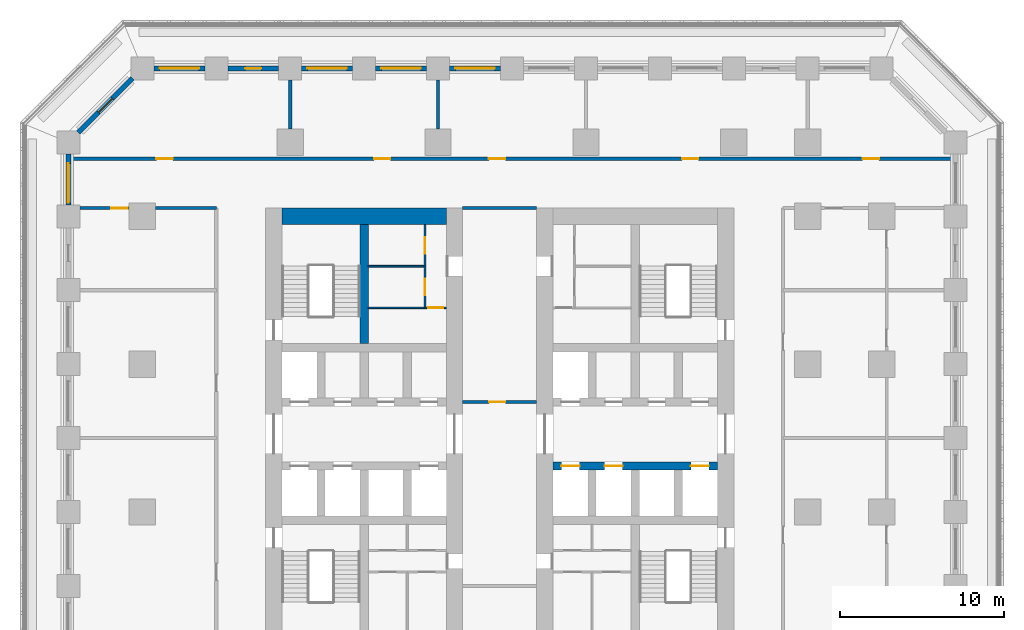
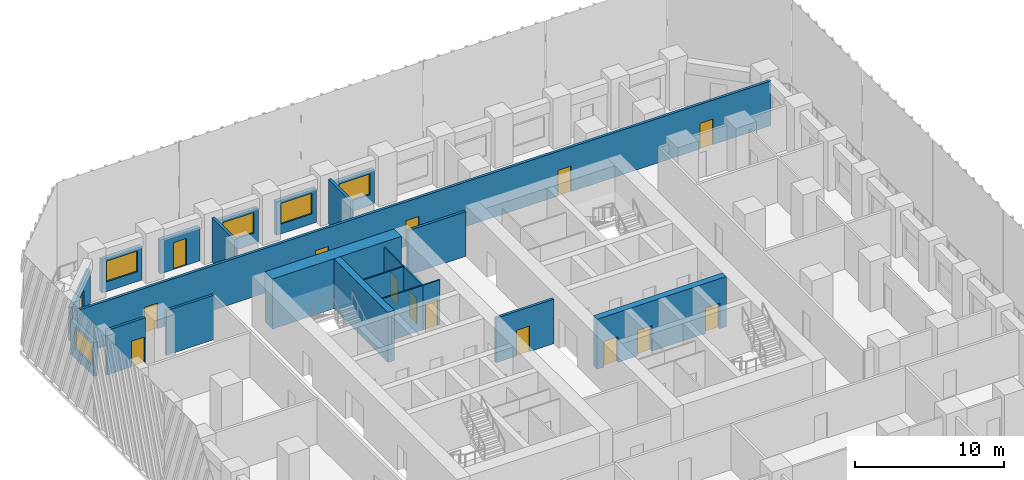
# One storey, part 6 of 14: 22 walls, 15 doors, 5 windows, 20 openings.
"""IFC4 building model written with IfcOpenShell, lengths in metres."""

from ifc_helpers import new_model, si_unit, direction, frame, frame_2d, origin, place, context, subcontext, project, spatial, rectangle, extrude, material, layer, layer_set, type_object, element, fill, save


model = new_model("IFC4")

# Units and contexts
model_context = context("Model", 3, precision=1e-05, world=origin(), true_north=direction((0.0, 1.0)))
body_context = subcontext(model_context, "Body", "Model", "MODEL_VIEW")
ifc_project = project(units=[si_unit("LENGTHUNIT", "METRE"), si_unit("AREAUNIT", "SQUARE_METRE"), si_unit("VOLUMEUNIT", "CUBIC_METRE"), si_unit("PLANEANGLEUNIT", "RADIAN"), si_unit("MASSUNIT", "GRAM", prefix="KILO")], contexts=[model_context])

# Site, building, storey
site_placement = place(None, origin())
site = spatial("IfcSite", under=ifc_project, at=site_placement, CompositionType="ELEMENT")
building_placement = place(site_placement, origin())
building = spatial("IfcBuilding", under=site, at=building_placement, Name="Corbel Stack Research Tower", CompositionType="ELEMENT")
storey_placement = place(building_placement, frame((0.0, 0.0, 58.300048828125)))
storey = spatial("IfcBuildingStorey", under=building, at=storey_placement, Name="L13", CompositionType="ELEMENT", Elevation=58.300048828125)

# Walls
ifc_material_1 = material(Name="Concrete C70/85", Category="concrete")
ifc_layer_1 = layer(ifc_material_1, 1.0)
ifc_layer_set_1 = layer_set([ifc_layer_1], Name="Concrete C70/85")
wall_type_1 = type_object("IfcWallType", Name="CW-1000-70", PredefinedType="SHEAR", material=ifc_layer_set_1)
wall_1_placement = place(storey_placement, frame((-9.5, 18.0, 0.0), z_axis=(0.0, 0.0, 1.0), x_axis=(1.0, 0.0, 0.0)))
element("IfcWall", 1, at=wall_1_placement, inside=storey, type_object=wall_type_1, Name="West core wall, north end L13", PredefinedType="SHEAR", context=body_context, shape_type="SweptSolid", body=[
    extrude(rectangle(XDim=10.0, YDim=1.0, at=frame_2d((5.0, 0.0))), origin(), (0.0, 0.0, 1.0), 4.099853515625),
])
ifc_material_2 = material(Name="Concrete C70/85", Category="concrete")
ifc_layer_2 = layer(ifc_material_2, 0.5)
ifc_layer_set_2 = layer_set([ifc_layer_2], Name="Concrete C70/85")
wall_type_2 = type_object("IfcWallType", Name="CW-500-70", PredefinedType="SHEAR", material=ifc_layer_set_2)
wall_2_placement = place(storey_placement, frame((-4.5, 10.25, 0.0), z_axis=(0.0, 0.0, 1.0), x_axis=(0.0, 1.0, 0.0)))
element("IfcWall", 2, at=wall_2_placement, inside=storey, type_object=wall_type_2, Name="West core wall, north stair and riser L13", PredefinedType="SHEAR", context=body_context, shape_type="SweptSolid", body=[
    extrude(rectangle(XDim=7.25, YDim=0.5, at=frame_2d((3.625, 0.0))), origin(), (0.0, 0.0, 1.0), 4.099853515625),
])

# Wall, openings, doors
wall_3_placement = place(storey_placement, frame((7.0, 2.800048828125, 0.0), z_axis=(0.0, 0.0, 1.0), x_axis=(1.0, 0.0, 0.0)))
wall_3 = element("IfcWall", 3, at=wall_3_placement, inside=storey, type_object=wall_type_2, Name="East core wall, lobby south L13", PredefinedType="SHEAR", context=body_context, shape_type="SweptSolid", body=[
    extrude(rectangle(XDim=10.0, YDim=0.5, at=frame_2d((5.0, 0.0))), origin(), (0.0, 0.0, 1.0), 4.099853515625),
])
opening_1_placement = place(wall_3_placement, frame((0.512451171875, 0.0, 0.0)))
opening_1 = element("IfcOpeningElement", 4, at=opening_1_placement, cuts=wall_3, Name="Opening LD-FS2", PredefinedType="OPENING", context=body_context, shape_type="SweptSolid", body=[
    extrude(rectangle(XDim=1.10009765625, YDim=2.10009765625, at=frame_2d((0.550048828125, 1.050048828125))), frame((0.0, 0.260009765625, 0.0), z_axis=(0.0, -1.0, 0.0), x_axis=(1.0, 0.0, 0.0)), (0.0, 0.0, 1.0), 0.52001953125),
])
opening_2_placement = place(wall_3_placement, frame((3.137451171875, 0.0, 0.0)))
opening_2 = element("IfcOpeningElement", 5, at=opening_2_placement, cuts=wall_3, Name="Opening LD-GL2", PredefinedType="OPENING", context=body_context, shape_type="SweptSolid", body=[
    extrude(rectangle(XDim=1.10009765625, YDim=2.10009765625, at=frame_2d((0.550048828125, 1.050048828125))), frame((0.0, 0.260009765625, 0.0), z_axis=(0.0, -1.0, 0.0), x_axis=(1.0, 0.0, 0.0)), (0.0, 0.0, 1.0), 0.52001953125),
])
opening_3_placement = place(wall_3_placement, frame((8.387451171875, 0.0, 0.0)))
opening_3 = element("IfcOpeningElement", 6, at=opening_3_placement, cuts=wall_3, Name="Opening LD-LR3", PredefinedType="OPENING", context=body_context, shape_type="SweptSolid", body=[
    extrude(rectangle(XDim=1.10009765625, YDim=2.10009765625, at=frame_2d((0.550048828125, 1.050048828125))), frame((0.0, 0.260009765625, 0.0), z_axis=(0.0, -1.0, 0.0), x_axis=(1.0, 0.0, 0.0)), (0.0, 0.0, 1.0), 0.52001953125),
])
ifc_material_3 = material(Name="Stainless steel landing door", Category="steel")
door_type_1 = type_object("IfcDoorType", Name="Lift landing door 1100 x 2100", OperationType="DOUBLE_DOOR_SLIDING", PredefinedType="DOOR", material=ifc_material_3)
door_1_placement = place(opening_1_placement, origin())
door_1 = element("IfcDoor", 7, at=door_1_placement, inside=storey, type_object=door_type_1, Name="Landing door FS2", OperationType="DOUBLE_DOOR_SLIDING", OverallHeight=2.10009765625, OverallWidth=1.10009765625, PredefinedType="DOOR", context=body_context, shape_type="SweptSolid", body=[
    extrude(rectangle(XDim=1.10009765625, YDim=2.10009765625, at=frame_2d((0.550048828125, 1.050048828125))), frame((0.0, 0.02490234375, 0.0), z_axis=(0.0, -1.0, 0.0), x_axis=(1.0, 0.0, 0.0)), (0.0, 0.0, 1.0), 0.050048828125),
])
fill(opening_1, door_1)
door_2_placement = place(opening_2_placement, origin())
door_2 = element("IfcDoor", 8, at=door_2_placement, inside=storey, type_object=door_type_1, Name="Landing door GL2", OperationType="DOUBLE_DOOR_SLIDING", OverallHeight=2.10009765625, OverallWidth=1.10009765625, PredefinedType="DOOR", context=body_context, shape_type="SweptSolid", body=[
    extrude(rectangle(XDim=1.10009765625, YDim=2.10009765625, at=frame_2d((0.550048828125, 1.050048828125))), frame((0.0, 0.02490234375, 0.0), z_axis=(0.0, -1.0, 0.0), x_axis=(1.0, 0.0, 0.0)), (0.0, 0.0, 1.0), 0.050048828125),
])
fill(opening_2, door_2)
door_3_placement = place(opening_3_placement, origin())
door_3 = element("IfcDoor", 9, at=door_3_placement, inside=storey, type_object=door_type_1, Name="Landing door LR3", OperationType="DOUBLE_DOOR_SLIDING", OverallHeight=2.10009765625, OverallWidth=1.10009765625, PredefinedType="DOOR", context=body_context, shape_type="SweptSolid", body=[
    extrude(rectangle(XDim=1.10009765625, YDim=2.10009765625, at=frame_2d((0.550048828125, 1.050048828125))), frame((0.0, 0.02490234375, 0.0), z_axis=(0.0, -1.0, 0.0), x_axis=(1.0, 0.0, 0.0)), (0.0, 0.0, 1.0), 0.050048828125),
])
fill(opening_3, door_3)

# Wall, opening, door
ifc_material_4 = material(Name="Gypsum board")
ifc_layer_3 = layer(ifc_material_4, 0.10009765625)
ifc_layer_set_3 = layer_set([ifc_layer_3], Name="Gypsum board")
wall_type_3 = type_object("IfcWallType", Name="Core partition 100", PredefinedType="PARTITIONING", material=ifc_layer_set_3)
wall_4_placement = place(storey_placement, frame((-0.800048828125, 12.425048828125, 0.0), z_axis=(0.0, 0.0, 1.0), x_axis=(1.0, 0.0, 0.0)))
wall_4 = element("IfcWall", 10, at=wall_4_placement, inside=storey, type_object=wall_type_3, Name="Core partition W", PredefinedType="PARTITIONING", context=body_context, shape_type="SweptSolid", body=[
    extrude(rectangle(XDim=1.300048828125, YDim=0.10009765625, at=frame_2d((0.64990234375, 0.0))), origin(), (0.0, 0.0, 1.0), 3.64990234375),
])
opening_4_placement = place(wall_4_placement, frame((0.199951171875, 0.0, 0.0)))
opening_4 = element("IfcOpeningElement", 11, at=opening_4_placement, cuts=wall_4, Name="Opening CR-W54-R1-900", PredefinedType="OPENING", context=body_context, shape_type="SweptSolid", body=[
    extrude(rectangle(XDim=0.89990234375, YDim=2.10009765625, at=frame_2d((0.449951171875, 1.050048828125))), frame((0.0, 0.06005859375, 0.0), z_axis=(0.0, -1.0, 0.0), x_axis=(1.0, 0.0, 0.0)), (0.0, 0.0, 1.0), 0.1201171875),
])
ifc_material_5 = material(Name="Painted steel door", Category="steel")
door_type_2 = type_object("IfcDoorType", Name="Riser door 900 x 2100 FD60 left hand", OperationType="SINGLE_SWING_LEFT", PredefinedType="DOOR", material=ifc_material_5)
door_4_placement = place(opening_4_placement, origin())
door_4 = element("IfcDoor", 12, at=door_4_placement, inside=storey, type_object=door_type_2, Name="Electrical riser door W core", OperationType="SINGLE_SWING_LEFT", OverallHeight=2.10009765625, OverallWidth=0.89990234375, PredefinedType="DOOR", context=body_context, shape_type="SweptSolid", body=[
    extrude(rectangle(XDim=0.89990234375, YDim=2.10009765625, at=frame_2d((0.449951171875, 1.050048828125))), frame((0.0, 0.02490234375, 0.0), z_axis=(0.0, -1.0, 0.0), x_axis=(1.0, 0.0, 0.0)), (0.0, 0.0, 1.0), 0.050048828125),
])
fill(opening_4, door_4)

# Wall
wall_5_placement = place(storey_placement, frame((-4.25, 12.425048828125, 0.0), z_axis=(0.0, 0.0, 1.0), x_axis=(1.0, 0.0, 0.0)))
element("IfcWall", 13, at=wall_5_placement, inside=storey, type_object=wall_type_3, Name="Core partition W", PredefinedType="PARTITIONING", context=body_context, shape_type="SweptSolid", body=[
    extrude(rectangle(XDim=3.449951171875, YDim=0.10009765625, at=frame_2d((1.72509765625, 0.0))), origin(), (0.0, 0.0, 1.0), 3.64990234375),
])

# Wall, opening, door
wall_6_placement = place(storey_placement, frame((-0.800048828125, 12.425048828125, 0.0), z_axis=(0.0, 0.0, 1.0), x_axis=(0.0, 1.0, 0.0)))
wall_6 = element("IfcWall", 14, at=wall_6_placement, inside=storey, type_object=wall_type_3, Name="Core partition W", PredefinedType="PARTITIONING", context=body_context, shape_type="SweptSolid", body=[
    extrude(rectangle(XDim=2.537353515625, YDim=0.10009765625, at=frame_2d((1.2685546875, 0.0))), origin(), (0.0, 0.0, 1.0), 3.64990234375),
])
opening_5_placement = place(wall_6_placement, frame((0.768798828125, 0.0, 0.0)))
opening_5 = element("IfcOpeningElement", 15, at=opening_5_placement, cuts=wall_6, Name="Opening CR-W54-R3-1000", PredefinedType="OPENING", context=body_context, shape_type="SweptSolid", body=[
    extrude(rectangle(XDim=1.0, YDim=2.10009765625, at=frame_2d((0.5, 1.050048828125))), frame((0.0, 0.06005859375, 0.0), z_axis=(0.0, -1.0, 0.0), x_axis=(1.0, 0.0, 0.0)), (0.0, 0.0, 1.0), 0.1201171875),
])
ifc_material_6 = material(Name="Painted steel door", Category="steel")
door_type_3 = type_object("IfcDoorType", Name="Service door 1000 x 2100 FD30 left hand", OperationType="SINGLE_SWING_LEFT", PredefinedType="DOOR", material=ifc_material_6)
door_5_placement = place(opening_5_placement, origin())
door_5 = element("IfcDoor", 16, at=door_5_placement, inside=storey, type_object=door_type_3, Name="Pantry door W core", OperationType="SINGLE_SWING_LEFT", OverallHeight=2.10009765625, OverallWidth=1.0, PredefinedType="DOOR", context=body_context, shape_type="SweptSolid", body=[
    extrude(rectangle(XDim=1.0, YDim=2.10009765625, at=frame_2d((0.5, 1.050048828125))), frame((0.0, 0.02490234375, 0.0), z_axis=(0.0, -1.0, 0.0), x_axis=(1.0, 0.0, 0.0)), (0.0, 0.0, 1.0), 0.050048828125),
])
fill(opening_5, door_5)

wall_7_placement = place(storey_placement, frame((-0.800048828125, 14.96240234375, 0.0), z_axis=(0.0, 0.0, 1.0), x_axis=(0.0, 1.0, 0.0)))
wall_7 = element("IfcWall", 17, at=wall_7_placement, inside=storey, type_object=wall_type_3, Name="Core partition W", PredefinedType="PARTITIONING", context=body_context, shape_type="SweptSolid", body=[
    extrude(rectangle(XDim=2.53759765625, YDim=0.10009765625, at=frame_2d((1.268798828125, 0.0))), origin(), (0.0, 0.0, 1.0), 3.64990234375),
])
opening_6_placement = place(wall_7_placement, frame((0.768798828125, 0.0, 0.0)))
opening_6 = element("IfcOpeningElement", 18, at=opening_6_placement, cuts=wall_7, Name="Opening CR-W54-R4-1000", PredefinedType="OPENING", context=body_context, shape_type="SweptSolid", body=[
    extrude(rectangle(XDim=1.0, YDim=2.10009765625, at=frame_2d((0.5, 1.050048828125))), frame((0.0, 0.06005859375, 0.0), z_axis=(0.0, -1.0, 0.0), x_axis=(1.0, 0.0, 0.0)), (0.0, 0.0, 1.0), 0.1201171875),
])
ifc_material_7 = material(Name="Painted steel door", Category="steel")
door_type_4 = type_object("IfcDoorType", Name="Service door 1000 x 2100 FD30 right hand", OperationType="SINGLE_SWING_RIGHT", PredefinedType="DOOR", material=ifc_material_7)
door_6_placement = place(opening_6_placement, origin())
door_6 = element("IfcDoor", 19, at=door_6_placement, inside=storey, type_object=door_type_4, Name="Copy and supply store door W core", OperationType="SINGLE_SWING_RIGHT", OverallHeight=2.10009765625, OverallWidth=1.0, PredefinedType="DOOR", context=body_context, shape_type="SweptSolid", body=[
    extrude(rectangle(XDim=1.0, YDim=2.10009765625, at=frame_2d((0.5, 1.050048828125))), frame((0.0, 0.02490234375, 0.0), z_axis=(0.0, -1.0, 0.0), x_axis=(1.0, 0.0, 0.0)), (0.0, 0.0, 1.0), 0.050048828125),
])
fill(opening_6, door_6)

# Walls
wall_8_placement = place(storey_placement, frame((-4.25, 14.96240234375, 0.0), z_axis=(0.0, 0.0, 1.0), x_axis=(1.0, 0.0, 0.0)))
element("IfcWall", 20, at=wall_8_placement, inside=storey, type_object=wall_type_3, Name="Core partition W", PredefinedType="PARTITIONING", context=body_context, shape_type="SweptSolid", body=[
    extrude(rectangle(XDim=3.449951171875, YDim=0.10009765625, at=frame_2d((1.72509765625, 0.0))), origin(), (0.0, 0.0, 1.0), 3.64990234375),
])
ifc_material_8 = material(Name="Fire-rated gypsum board partition on steel studs", Category="steel")
ifc_layer_4 = layer(ifc_material_8, 0.199951171875)
ifc_layer_set_4 = layer_set([ifc_layer_4], Name="Fire-rated gypsum board partition on steel studs")
wall_type_4 = type_object("IfcWallType", Name="Fire-rated partition 200 EI 60", PredefinedType="PARTITIONING", material=ifc_layer_set_4)
for number, where, z_axis, x_axis, name in (
    (21, (-9.0, 23.300048828125, 0.0), (0.0, 0.0, 1.0), (0.0, 1.0, 0.0), "Partition L13-004"),
    (22, (0.0, 23.300048828125, 0.0), (0.0, 0.0, 1.0), (0.0, 1.0, 0.0), "Partition L13-007"),
):
    element("IfcWall", number, at=place(storey_placement, frame(where, z_axis=z_axis, x_axis=x_axis)), inside=storey, type_object=wall_type_4, Name=name, PredefinedType="PARTITIONING", context=body_context, shape_type="SweptSolid", body=[
        extrude(rectangle(XDim=3.0, YDim=0.199951171875, at=frame_2d((1.5, 0.0))), origin(), (0.0, 0.0, 1.0), 3.64990234375),
    ])

# Wall, opening, door
wall_9_placement = place(storey_placement, frame((1.5, 6.699951171875, 0.0), z_axis=(0.0, 0.0, 1.0), x_axis=(1.0, 0.0, 0.0)))
wall_9 = element("IfcWall", 23, at=wall_9_placement, inside=storey, type_object=wall_type_4, Name="Partition L13-036", PredefinedType="PARTITIONING", context=body_context, shape_type="SweptSolid", body=[
    extrude(rectangle(XDim=4.5, YDim=0.199951171875, at=frame_2d((2.25, 0.0))), origin(), (0.0, 0.0, 1.0), 3.64990234375),
])
opening_7_placement = place(wall_9_placement, frame((1.60009765625, 0.0, 0.0)))
opening_7 = element("IfcOpeningElement", 24, at=opening_7_placement, cuts=wall_9, Name="Opening B2V2-014", PredefinedType="OPENING", context=body_context, shape_type="SweptSolid", body=[
    extrude(rectangle(XDim=1.0, YDim=2.10009765625, at=frame_2d((0.5, 1.050048828125))), frame((0.0, 0.10986328125, 0.0), z_axis=(0.0, -1.0, 0.0), x_axis=(1.0, 0.0, 0.0)), (0.0, 0.0, 1.0), 0.219970703125),
])
ifc_material_9 = material(Name="Painted steel fire door", Category="steel")
door_type_5 = type_object("IfcDoorType", Name="Fire door FD30S 1000 x 2100", OperationType="NOTDEFINED", PredefinedType="DOOR", material=ifc_material_9)
door_7_placement = place(opening_7_placement, origin())
door_7 = element("IfcDoor", 25, at=door_7_placement, inside=storey, type_object=door_type_5, Name="Door B2V2-014", OperationType="SINGLE_SWING_LEFT", OverallHeight=2.10009765625, OverallWidth=1.0, PredefinedType="DOOR", context=body_context, shape_type="SweptSolid", body=[
    extrude(rectangle(XDim=1.0, YDim=2.10009765625, at=frame_2d((0.5, 1.050048828125))), frame((0.0, 0.02490234375, 0.0), z_axis=(0.0, -1.0, 0.0), x_axis=(1.0, 0.0, 0.0)), (0.0, 0.0, 1.0), 0.050048828125),
])
fill(opening_7, door_7)

wall_10_placement = place(storey_placement, frame((-18.800048828125, 18.5, 0.0), z_axis=(0.0, 0.0, 1.0), x_axis=(-1.0, 0.0, 0.0)))
wall_10 = element("IfcWall", 26, at=wall_10_placement, inside=storey, type_object=wall_type_4, Name="Partition L13-039", PredefinedType="PARTITIONING", context=body_context, shape_type="SweptSolid", body=[
    extrude(rectangle(XDim=3.0, YDim=0.199951171875, at=frame_2d((1.5, 0.0))), origin(), (0.0, 0.0, 1.0), 3.64990234375),
])
opening_8_placement = place(wall_10_placement, frame((0.10009765625, 0.0, 0.0)))
opening_8 = element("IfcOpeningElement", 27, at=opening_8_placement, cuts=wall_10, Name="Opening B2V2-015", PredefinedType="OPENING", context=body_context, shape_type="SweptSolid", body=[
    extrude(rectangle(XDim=1.0, YDim=2.10009765625, at=frame_2d((0.5, 1.050048828125))), frame((0.0, 0.10986328125, 0.0), z_axis=(0.0, -1.0, 0.0), x_axis=(1.0, 0.0, 0.0)), (0.0, 0.0, 1.0), 0.219970703125),
])
door_8_placement = place(opening_8_placement, origin())
door_8 = element("IfcDoor", 28, at=door_8_placement, inside=storey, type_object=door_type_5, Name="Door B2V2-015", OperationType="SINGLE_SWING_LEFT", OverallHeight=2.10009765625, OverallWidth=1.0, PredefinedType="DOOR", context=body_context, shape_type="SweptSolid", body=[
    extrude(rectangle(XDim=1.0, YDim=2.10009765625, at=frame_2d((0.5, 1.050048828125))), frame((0.0, 0.02490234375, 0.0), z_axis=(0.0, -1.0, 0.0), x_axis=(1.0, 0.0, 0.0)), (0.0, 0.0, 1.0), 0.050048828125),
])
fill(opening_8, door_8)

# Walls
wall_11_placement = place(storey_placement, frame((-17.199951171875, 18.5, 0.0), z_axis=(0.0, 0.0, 1.0), x_axis=(1.0, 0.0, 0.0)))
element("IfcWall", 29, at=wall_11_placement, inside=storey, type_object=wall_type_4, Name="Partition L13-040", PredefinedType="PARTITIONING", context=body_context, shape_type="SweptSolid", body=[
    extrude(rectangle(XDim=3.699951171875, YDim=0.199951171875, at=frame_2d((1.85009765625, 0.0))), origin(), (0.0, 0.0, 1.0), 3.64990234375),
])
wall_12_placement = place(storey_placement, frame((1.5, 18.5, 0.0), z_axis=(0.0, 0.0, 1.0), x_axis=(1.0, 0.0, 0.0)))
element("IfcWall", 30, at=wall_12_placement, inside=storey, type_object=wall_type_4, Name="Partition L13-041", PredefinedType="PARTITIONING", context=body_context, shape_type="SweptSolid", body=[
    extrude(rectangle(XDim=4.5, YDim=0.199951171875, at=frame_2d((2.25, 0.0))), origin(), (0.0, 0.0, 1.0), 3.64990234375),
])

# Wall, openings, doors
wall_13_placement = place(storey_placement, frame((-22.35009765625, 21.5, 0.0), z_axis=(0.0, 0.0, 1.0), x_axis=(1.0, 0.0, 0.0)))
wall_13 = element("IfcWall", 31, at=wall_13_placement, inside=storey, type_object=wall_type_4, Name="Partition L13-045", PredefinedType="PARTITIONING", context=body_context, shape_type="SweptSolid", body=[
    extrude(rectangle(XDim=53.7001953125, YDim=0.199951171875, at=frame_2d((26.85009765625, 0.0))), origin(), (0.0, 0.0, 1.0), 3.64990234375),
])
opening_9_placement = place(wall_13_placement, frame((5.199951171875, 0.0, 0.0)))
opening_9 = element("IfcOpeningElement", 32, at=opening_9_placement, cuts=wall_13, Name="Opening B2V2-019", PredefinedType="OPENING", context=body_context, shape_type="SweptSolid", body=[
    extrude(rectangle(XDim=1.0, YDim=2.10009765625, at=frame_2d((0.5, 1.050048828125))), frame((0.0, 0.10986328125, 0.0), z_axis=(0.0, -1.0, 0.0), x_axis=(1.0, 0.0, 0.0)), (0.0, 0.0, 1.0), 0.219970703125),
])
opening_10_placement = place(wall_13_placement, frame((18.449951171875, 0.0, 0.0)))
opening_10 = element("IfcOpeningElement", 33, at=opening_10_placement, cuts=wall_13, Name="Opening B2V2-020", PredefinedType="OPENING", context=body_context, shape_type="SweptSolid", body=[
    extrude(rectangle(XDim=1.0, YDim=2.10009765625, at=frame_2d((0.5, 1.050048828125))), frame((0.0, 0.10986328125, 0.0), z_axis=(0.0, -1.0, 0.0), x_axis=(1.0, 0.0, 0.0)), (0.0, 0.0, 1.0), 0.219970703125),
])
opening_11_placement = place(wall_13_placement, frame((25.449951171875, 0.0, 0.0)))
opening_11 = element("IfcOpeningElement", 34, at=opening_11_placement, cuts=wall_13, Name="Opening B2V2-021", PredefinedType="OPENING", context=body_context, shape_type="SweptSolid", body=[
    extrude(rectangle(XDim=1.0, YDim=2.10009765625, at=frame_2d((0.5, 1.050048828125))), frame((0.0, 0.10986328125, 0.0), z_axis=(0.0, -1.0, 0.0), x_axis=(1.0, 0.0, 0.0)), (0.0, 0.0, 1.0), 0.219970703125),
])
opening_12_placement = place(wall_13_placement, frame((37.199951171875, 0.0, 0.0)))
opening_12 = element("IfcOpeningElement", 35, at=opening_12_placement, cuts=wall_13, Name="Opening B2V2-022", PredefinedType="OPENING", context=body_context, shape_type="SweptSolid", body=[
    extrude(rectangle(XDim=1.0, YDim=2.10009765625, at=frame_2d((0.5, 1.050048828125))), frame((0.0, 0.10986328125, 0.0), z_axis=(0.0, -1.0, 0.0), x_axis=(1.0, 0.0, 0.0)), (0.0, 0.0, 1.0), 0.219970703125),
])
opening_13_placement = place(wall_13_placement, frame((48.199951171875, 0.0, 0.0)))
opening_13 = element("IfcOpeningElement", 36, at=opening_13_placement, cuts=wall_13, Name="Opening B2V2-023", PredefinedType="OPENING", context=body_context, shape_type="SweptSolid", body=[
    extrude(rectangle(XDim=1.0, YDim=2.10009765625, at=frame_2d((0.5, 1.050048828125))), frame((0.0, 0.10986328125, 0.0), z_axis=(0.0, -1.0, 0.0), x_axis=(1.0, 0.0, 0.0)), (0.0, 0.0, 1.0), 0.219970703125),
])
door_9_placement = place(opening_9_placement, origin())
door_9 = element("IfcDoor", 37, at=door_9_placement, inside=storey, type_object=door_type_5, Name="Door B2V2-019", OperationType="SINGLE_SWING_LEFT", OverallHeight=2.10009765625, OverallWidth=1.0, PredefinedType="DOOR", context=body_context, shape_type="SweptSolid", body=[
    extrude(rectangle(XDim=1.0, YDim=2.10009765625, at=frame_2d((0.5, 1.050048828125))), frame((0.0, 0.02490234375, 0.0), z_axis=(0.0, -1.0, 0.0), x_axis=(1.0, 0.0, 0.0)), (0.0, 0.0, 1.0), 0.050048828125),
])
fill(opening_9, door_9)
door_10_placement = place(opening_10_placement, origin())
door_10 = element("IfcDoor", 38, at=door_10_placement, inside=storey, type_object=door_type_5, Name="Door B2V2-020", OperationType="SINGLE_SWING_LEFT", OverallHeight=2.10009765625, OverallWidth=1.0, PredefinedType="DOOR", context=body_context, shape_type="SweptSolid", body=[
    extrude(rectangle(XDim=1.0, YDim=2.10009765625, at=frame_2d((0.5, 1.050048828125))), frame((0.0, 0.02490234375, 0.0), z_axis=(0.0, -1.0, 0.0), x_axis=(1.0, 0.0, 0.0)), (0.0, 0.0, 1.0), 0.050048828125),
])
fill(opening_10, door_10)
door_11_placement = place(opening_11_placement, origin())
door_11 = element("IfcDoor", 39, at=door_11_placement, inside=storey, type_object=door_type_5, Name="Door B2V2-021", OperationType="SINGLE_SWING_LEFT", OverallHeight=2.10009765625, OverallWidth=1.0, PredefinedType="DOOR", context=body_context, shape_type="SweptSolid", body=[
    extrude(rectangle(XDim=1.0, YDim=2.10009765625, at=frame_2d((0.5, 1.050048828125))), frame((0.0, 0.02490234375, 0.0), z_axis=(0.0, -1.0, 0.0), x_axis=(1.0, 0.0, 0.0)), (0.0, 0.0, 1.0), 0.050048828125),
])
fill(opening_11, door_11)
door_12_placement = place(opening_12_placement, origin())
door_12 = element("IfcDoor", 40, at=door_12_placement, inside=storey, type_object=door_type_5, Name="Door B2V2-022", OperationType="SINGLE_SWING_RIGHT", OverallHeight=2.10009765625, OverallWidth=1.0, PredefinedType="DOOR", context=body_context, shape_type="SweptSolid", body=[
    extrude(rectangle(XDim=1.0, YDim=2.10009765625, at=frame_2d((0.5, 1.050048828125))), frame((0.0, 0.02490234375, 0.0), z_axis=(0.0, -1.0, 0.0), x_axis=(1.0, 0.0, 0.0)), (0.0, 0.0, 1.0), 0.050048828125),
])
fill(opening_12, door_12)
door_13_placement = place(opening_13_placement, origin())
door_13 = element("IfcDoor", 41, at=door_13_placement, inside=storey, type_object=door_type_5, Name="Door B2V2-023", OperationType="SINGLE_SWING_RIGHT", OverallHeight=2.10009765625, OverallWidth=1.0, PredefinedType="DOOR", context=body_context, shape_type="SweptSolid", body=[
    extrude(rectangle(XDim=1.0, YDim=2.10009765625, at=frame_2d((0.5, 1.050048828125))), frame((0.0, 0.02490234375, 0.0), z_axis=(0.0, -1.0, 0.0), x_axis=(1.0, 0.0, 0.0)), (0.0, 0.0, 1.0), 0.050048828125),
])
fill(opening_13, door_13)

# Wall, opening, window
ifc_material_10 = material(Name="Concrete C45/55", Category="concrete")
ifc_layer_5 = layer(ifc_material_10, 0.300048828125)
ifc_layer_set_5 = layer_set([ifc_layer_5], Name="Concrete C45/55")
wall_type_5 = type_object("IfcWallType", Name="Terracotta-faced concrete wall 300", PredefinedType="SOLIDWALL", material=ifc_layer_set_5)
wall_14_placement = place(storey_placement, frame((0.699951171875, 27.0, 0.0), z_axis=(0.0, 0.0, 1.0), x_axis=(1.0, 0.0, 0.0)))
wall_14 = element("IfcWall", 42, at=wall_14_placement, inside=storey, type_object=wall_type_5, Name="Facade wall L13 N06", PredefinedType="SOLIDWALL", context=body_context, shape_type="SweptSolid", body=[
    extrude(rectangle(XDim=3.10009765625, YDim=0.300048828125, at=frame_2d((1.550048828125, 0.0))), origin(), (0.0, 0.0, 1.0), 2.75),
])
opening_14_placement = place(wall_14_placement, frame((0.35009765625, 0.0, 0.800048828125)))
opening_14 = element("IfcOpeningElement", 43, at=opening_14_placement, cuts=wall_14, Name="Opening W1", PredefinedType="OPENING", context=body_context, shape_type="SweptSolid", body=[
    extrude(rectangle(XDim=2.39990234375, YDim=1.699951171875, at=frame_2d((1.199951171875, 0.85009765625))), frame((0.0, 0.159912109375, 0.0), z_axis=(0.0, -1.0, 0.0), x_axis=(1.0, 0.0, 0.0)), (0.0, 0.0, 1.0), 0.320068359375),
])
ifc_material_11 = material(Name="Aluminium frame, clear double glazing", Category="aluminium")
window_type = type_object("IfcWindowType", Name="Window W1 2400 x 1700", PartitioningType="SINGLE_PANEL", PredefinedType="WINDOW", material=ifc_material_11)
window_1_placement = place(opening_14_placement, origin())
window_1 = element("IfcWindow", 44, at=window_1_placement, inside=storey, type_object=window_type, Name="Window W1 L13 N06", OverallHeight=1.699951171875, OverallWidth=2.39990234375, PartitioningType="SINGLE_PANEL", PredefinedType="WINDOW", context=body_context, shape_type="SweptSolid", body=[
    extrude(rectangle(XDim=2.39990234375, YDim=1.699951171875, at=frame_2d((1.199951171875, 0.85009765625))), frame((0.0, 0.030029296875, 0.0), z_axis=(0.0, -1.0, 0.0), x_axis=(1.0, 0.0, 0.0)), (0.0, 0.0, 1.0), 0.06005859375),
])
fill(opening_14, window_1)

wall_15_placement = place(storey_placement, frame((-3.800048828125, 27.0, 0.0), z_axis=(0.0, 0.0, 1.0), x_axis=(1.0, 0.0, 0.0)))
wall_15 = element("IfcWall", 45, at=wall_15_placement, inside=storey, type_object=wall_type_5, Name="Facade wall L13 N07", PredefinedType="SOLIDWALL", context=body_context, shape_type="SweptSolid", body=[
    extrude(rectangle(XDim=3.10009765625, YDim=0.300048828125, at=frame_2d((1.550048828125, 0.0))), origin(), (0.0, 0.0, 1.0), 2.75),
])
opening_15_placement = place(wall_15_placement, frame((0.35009765625, 0.0, 0.800048828125)))
opening_15 = element("IfcOpeningElement", 46, at=opening_15_placement, cuts=wall_15, Name="Opening W1", PredefinedType="OPENING", context=body_context, shape_type="SweptSolid", body=[
    extrude(rectangle(XDim=2.39990234375, YDim=1.699951171875, at=frame_2d((1.199951171875, 0.85009765625))), frame((0.0, 0.159912109375, 0.0), z_axis=(0.0, -1.0, 0.0), x_axis=(1.0, 0.0, 0.0)), (0.0, 0.0, 1.0), 0.320068359375),
])
window_2_placement = place(opening_15_placement, origin())
window_2 = element("IfcWindow", 47, at=window_2_placement, inside=storey, type_object=window_type, Name="Window W1 L13 N07", OverallHeight=1.699951171875, OverallWidth=2.39990234375, PartitioningType="SINGLE_PANEL", PredefinedType="WINDOW", context=body_context, shape_type="SweptSolid", body=[
    extrude(rectangle(XDim=2.39990234375, YDim=1.699951171875, at=frame_2d((1.199951171875, 0.85009765625))), frame((0.0, 0.030029296875, 0.0), z_axis=(0.0, -1.0, 0.0), x_axis=(1.0, 0.0, 0.0)), (0.0, 0.0, 1.0), 0.06005859375),
])
fill(opening_15, window_2)

wall_16_placement = place(storey_placement, frame((-8.300048828125, 27.0, 0.0), z_axis=(0.0, 0.0, 1.0), x_axis=(1.0, 0.0, 0.0)))
wall_16 = element("IfcWall", 48, at=wall_16_placement, inside=storey, type_object=wall_type_5, Name="Facade wall L13 N08", PredefinedType="SOLIDWALL", context=body_context, shape_type="SweptSolid", body=[
    extrude(rectangle(XDim=3.10009765625, YDim=0.300048828125, at=frame_2d((1.550048828125, 0.0))), origin(), (0.0, 0.0, 1.0), 2.75),
])
opening_16_placement = place(wall_16_placement, frame((0.35009765625, 0.0, 0.800048828125)))
opening_16 = element("IfcOpeningElement", 49, at=opening_16_placement, cuts=wall_16, Name="Opening W1", PredefinedType="OPENING", context=body_context, shape_type="SweptSolid", body=[
    extrude(rectangle(XDim=2.39990234375, YDim=1.699951171875, at=frame_2d((1.199951171875, 0.85009765625))), frame((0.0, 0.159912109375, 0.0), z_axis=(0.0, -1.0, 0.0), x_axis=(1.0, 0.0, 0.0)), (0.0, 0.0, 1.0), 0.320068359375),
])
window_3_placement = place(opening_16_placement, origin())
window_3 = element("IfcWindow", 50, at=window_3_placement, inside=storey, type_object=window_type, Name="Window W1 L13 N08", OverallHeight=1.699951171875, OverallWidth=2.39990234375, PartitioningType="SINGLE_PANEL", PredefinedType="WINDOW", context=body_context, shape_type="SweptSolid", body=[
    extrude(rectangle(XDim=2.39990234375, YDim=1.699951171875, at=frame_2d((1.199951171875, 0.85009765625))), frame((0.0, 0.030029296875, 0.0), z_axis=(0.0, -1.0, 0.0), x_axis=(1.0, 0.0, 0.0)), (0.0, 0.0, 1.0), 0.06005859375),
])
fill(opening_16, window_3)

# Wall, opening, door
wall_17_placement = place(storey_placement, frame((-12.800048828125, 27.0, 0.0), z_axis=(0.0, 0.0, 1.0), x_axis=(1.0, 0.0, 0.0)))
wall_17 = element("IfcWall", 51, at=wall_17_placement, inside=storey, type_object=wall_type_5, Name="Facade wall L13 N09", PredefinedType="SOLIDWALL", context=body_context, shape_type="SweptSolid", body=[
    extrude(rectangle(XDim=3.10009765625, YDim=0.300048828125, at=frame_2d((1.550048828125, 0.0))), origin(), (0.0, 0.0, 1.0), 2.75),
])
opening_17_placement = place(wall_17_placement, frame((1.050048828125, 0.0, 0.0)))
opening_17 = element("IfcOpeningElement", 52, at=opening_17_placement, cuts=wall_17, Name="Opening L13-B08", PredefinedType="OPENING", context=body_context, shape_type="SweptSolid", body=[
    extrude(rectangle(XDim=1.0, YDim=2.199951171875, at=frame_2d((0.5, 1.10009765625))), frame((0.0, 0.159912109375, 0.0), z_axis=(0.0, -1.0, 0.0), x_axis=(1.0, 0.0, 0.0)), (0.0, 0.0, 1.0), 0.320068359375),
])
ifc_material_12 = material(Name="Aluminium frame, clear double glazing", Category="aluminium")
door_type_6 = type_object("IfcDoorType", Name="Balcony door BD1 1000 x 2200", OperationType="NOTDEFINED", PredefinedType="DOOR", material=ifc_material_12)
door_14_placement = place(opening_17_placement, origin())
door_14 = element("IfcDoor", 53, at=door_14_placement, inside=storey, type_object=door_type_6, Name="Balcony door L13-B08", OperationType="SINGLE_SWING_RIGHT", OverallHeight=2.199951171875, OverallWidth=1.0, PredefinedType="DOOR", context=body_context, shape_type="SweptSolid", body=[
    extrude(rectangle(XDim=1.0, YDim=2.199951171875, at=frame_2d((0.5, 1.10009765625))), frame((0.0, 0.02490234375, 0.0), z_axis=(0.0, -1.0, 0.0), x_axis=(1.0, 0.0, 0.0)), (0.0, 0.0, 1.0), 0.050048828125),
])
fill(opening_17, door_14)

# Wall, opening, window
wall_18_placement = place(storey_placement, frame((-17.300048828125, 27.0, 0.0), z_axis=(0.0, 0.0, 1.0), x_axis=(1.0, 0.0, 0.0)))
wall_18 = element("IfcWall", 54, at=wall_18_placement, inside=storey, type_object=wall_type_5, Name="Facade wall L13 N10", PredefinedType="SOLIDWALL", context=body_context, shape_type="SweptSolid", body=[
    extrude(rectangle(XDim=3.10009765625, YDim=0.300048828125, at=frame_2d((1.550048828125, 0.0))), origin(), (0.0, 0.0, 1.0), 2.75),
])
opening_18_placement = place(wall_18_placement, frame((0.35009765625, 0.0, 0.800048828125)))
opening_18 = element("IfcOpeningElement", 55, at=opening_18_placement, cuts=wall_18, Name="Opening W1", PredefinedType="OPENING", context=body_context, shape_type="SweptSolid", body=[
    extrude(rectangle(XDim=2.39990234375, YDim=1.699951171875, at=frame_2d((1.199951171875, 0.85009765625))), frame((0.0, 0.159912109375, 0.0), z_axis=(0.0, -1.0, 0.0), x_axis=(1.0, 0.0, 0.0)), (0.0, 0.0, 1.0), 0.320068359375),
])
window_4_placement = place(opening_18_placement, origin())
window_4 = element("IfcWindow", 56, at=window_4_placement, inside=storey, type_object=window_type, Name="Window W1 L13 N10", OverallHeight=1.699951171875, OverallWidth=2.39990234375, PartitioningType="SINGLE_PANEL", PredefinedType="WINDOW", context=body_context, shape_type="SweptSolid", body=[
    extrude(rectangle(XDim=2.39990234375, YDim=1.699951171875, at=frame_2d((1.199951171875, 0.85009765625))), frame((0.0, 0.030029296875, 0.0), z_axis=(0.0, -1.0, 0.0), x_axis=(1.0, 0.0, 0.0)), (0.0, 0.0, 1.0), 0.06005859375),
])
fill(opening_18, window_4)

# Wall, opening, door
wall_19_placement = place(storey_placement, frame((-21.906005859375, 23.093994140625, 0.0), z_axis=(0.0, 0.0, 1.0), x_axis=(0.707106781187, 0.707106781187, 0.0)))
wall_19 = element("IfcWall", 57, at=wall_19_placement, inside=storey, type_object=wall_type_5, Name="Facade wall L13 NW01", PredefinedType="SOLIDWALL", context=body_context, shape_type="SweptSolid", body=[
    extrude(rectangle(XDim=4.683837890625, YDim=0.300048828125, at=frame_2d((2.341796875, 0.0))), origin(), (0.0, 0.0, 1.0), 2.75),
])
opening_19_placement = place(wall_19_placement, frame((1.741943359375, 0.0, 0.0)))
opening_19 = element("IfcOpeningElement", 58, at=opening_19_placement, cuts=wall_19, Name="Opening L13-B09", PredefinedType="OPENING", context=body_context, shape_type="SweptSolid", body=[
    extrude(rectangle(XDim=1.199951171875, YDim=2.199951171875, at=frame_2d((0.60009765625, 1.10009765625))), frame((0.0, 0.159912109375, 0.0), z_axis=(0.0, -1.0, 0.0), x_axis=(1.0, 0.0, 0.0)), (0.0, 0.0, 1.0), 0.320068359375),
])
ifc_material_13 = material(Name="Aluminium frame, clear double glazing", Category="aluminium")
door_type_7 = type_object("IfcDoorType", Name="Balcony door BD2 1200 x 2200", OperationType="NOTDEFINED", PredefinedType="DOOR", material=ifc_material_13)
door_15_placement = place(opening_19_placement, origin())
door_15 = element("IfcDoor", 59, at=door_15_placement, inside=storey, type_object=door_type_7, Name="Balcony door L13-B09", OperationType="SINGLE_SWING_RIGHT", OverallHeight=2.199951171875, OverallWidth=1.199951171875, PredefinedType="DOOR", context=body_context, shape_type="SweptSolid", body=[
    extrude(rectangle(XDim=1.199951171875, YDim=2.199951171875, at=frame_2d((0.60009765625, 1.10009765625))), frame((0.0, 0.02490234375, 0.0), z_axis=(0.0, -1.0, 0.0), x_axis=(1.0, 0.0, 0.0)), (0.0, 0.0, 1.0), 0.050048828125),
])
fill(opening_19, door_15)

# Wall, opening, window
wall_20_placement = place(storey_placement, frame((-22.5, 18.699951171875, 0.0), z_axis=(0.0, 0.0, 1.0), x_axis=(0.0, 1.0, 0.0)))
wall_20 = element("IfcWall", 60, at=wall_20_placement, inside=storey, type_object=wall_type_5, Name="Facade wall L13 W01", PredefinedType="SOLIDWALL", context=body_context, shape_type="SweptSolid", body=[
    extrude(rectangle(XDim=3.10009765625, YDim=0.300048828125, at=frame_2d((1.550048828125, 0.0))), origin(), (0.0, 0.0, 1.0), 2.75),
])
opening_20_placement = place(wall_20_placement, frame((0.125, 0.0, 0.800048828125)))
opening_20 = element("IfcOpeningElement", 61, at=opening_20_placement, cuts=wall_20, Name="Opening W1", PredefinedType="OPENING", context=body_context, shape_type="SweptSolid", body=[
    extrude(rectangle(XDim=2.39990234375, YDim=1.699951171875, at=frame_2d((1.199951171875, 0.85009765625))), frame((0.0, 0.159912109375, 0.0), z_axis=(0.0, -1.0, 0.0), x_axis=(1.0, 0.0, 0.0)), (0.0, 0.0, 1.0), 0.320068359375),
])
window_5_placement = place(opening_20_placement, origin())
window_5 = element("IfcWindow", 62, at=window_5_placement, inside=storey, type_object=window_type, Name="Window W1 L13 W01", OverallHeight=1.699951171875, OverallWidth=2.39990234375, PartitioningType="SINGLE_PANEL", PredefinedType="WINDOW", context=body_context, shape_type="SweptSolid", body=[
    extrude(rectangle(XDim=2.39990234375, YDim=1.699951171875, at=frame_2d((1.199951171875, 0.85009765625))), frame((0.0, 0.030029296875, 0.0), z_axis=(0.0, -1.0, 0.0), x_axis=(1.0, 0.0, 0.0)), (0.0, 0.0, 1.0), 0.06005859375),
])
fill(opening_20, window_5)

save(model, "model.ifc")
